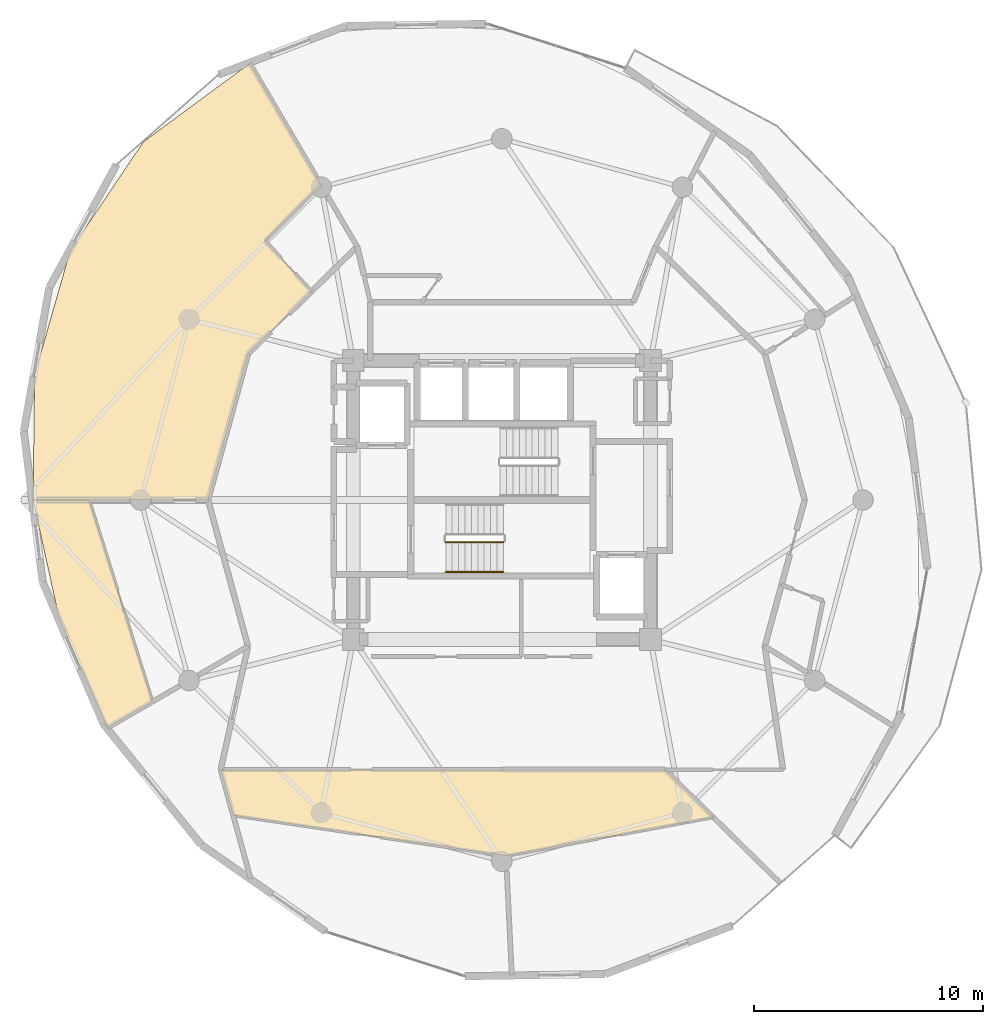
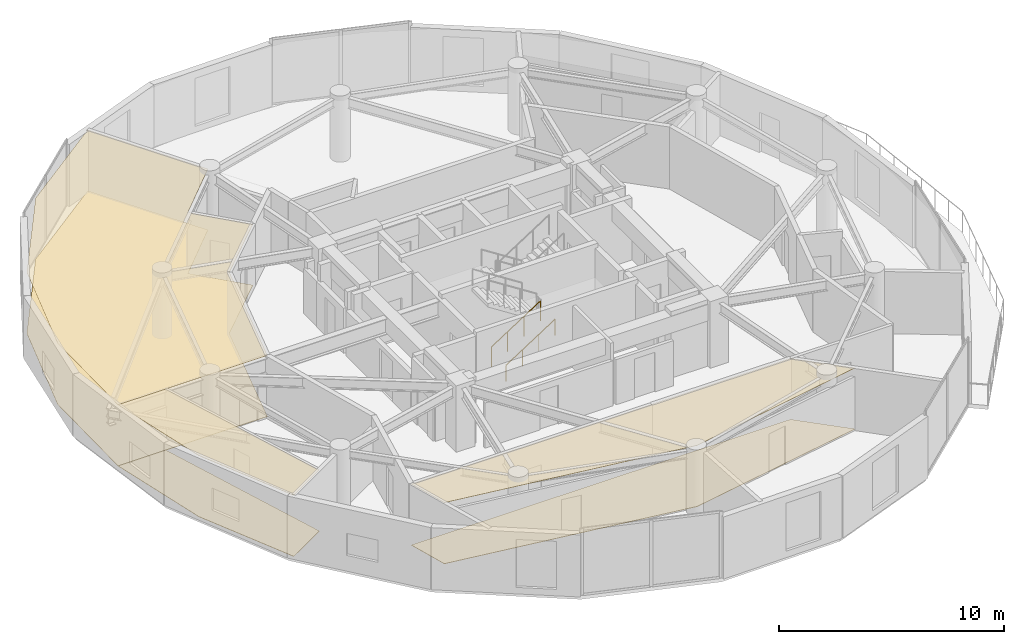
# One storey, part 16 of 18: 6 coverings, 2 railings.
"""IFC4 building model written with IfcOpenShell, lengths in metres."""

import ifcopenshell
import ifcopenshell.guid

model = None  # the IFC model being written
_history = None  # IfcOwnerHistory: only IFC2X3 demands one
_inside = {}  # id of a spatial element -> (the spatial element, [elements in it])
_under = {}  # id of a project, library or spatial element -> (it, [spatial elements below it])
_declared = {}  # id of a project -> (the project, [libraries it declares])
_typed = {}  # id of a type object -> (the type object, [elements of that type])
_made_of = {}  # id of a material, layer set ... -> (it, [elements and type objects made of it])


def new_model(schema):
    """Start an empty IFC model of exactly this schema.

    Asked for "IFC4X3", IfcOpenShell would pick the latest addendum, in which some entities
    have other attributes; the version numbers below select the first issue.
    IFC2X3 requires an IfcOwnerHistory on every rooted entity: one is made here for all.
    """
    global model, _history
    if schema == "IFC4X3":
        model = ifcopenshell.file(schema_version=(4, 3, 0, 0))
    else:
        model = ifcopenshell.file(schema=schema)
    _inside.clear()
    _under.clear()
    _declared.clear()
    _typed.clear()
    _made_of.clear()
    _history = None
    if model.schema == "IFC2X3":
        org = make("IfcOrganization", Name="unknown")
        user = make(
            "IfcPersonAndOrganization",
            ThePerson=make("IfcPerson", FamilyName="unknown"),
            TheOrganization=org,
        )
        app = make(
            "IfcApplication",
            ApplicationDeveloper=org,
            Version="unknown",
            ApplicationFullName="unknown",
            ApplicationIdentifier="unknown",
        )
        _history = make(
            "IfcOwnerHistory",
            OwningUser=user,
            OwningApplication=app,
            ChangeAction="ADDED",
            CreationDate=0,
        )
    return model


def make(cls, **values):
    """One entity of the class cls with the attributes given. An attribute that is None is left unset."""
    return model.create_entity(
        cls, **{name: value for name, value in values.items() if value is not None}
    )


def rooted(cls, **values):
    """An entity with a GlobalId (a new one), such as an element, a storey or a relation."""
    return make(cls, GlobalId=ifcopenshell.guid.new(), OwnerHistory=_history, **values)


def si_unit(unit_type, name, prefix=None):
    """IfcSIUnit, for example si_unit("LENGTHUNIT", "METRE", prefix="MILLI")."""
    return make("IfcSIUnit", UnitType=unit_type, Prefix=prefix, Name=name)


def assignment(units):
    """IfcUnitAssignment: the units of a project."""
    return None if units is None else make("IfcUnitAssignment", Units=units)


def point(xyz):
    """IfcCartesianPoint."""
    return None if xyz is None else make("IfcCartesianPoint", Coordinates=xyz)


def direction(xyz):
    """IfcDirection."""
    return None if xyz is None else make("IfcDirection", DirectionRatios=xyz)


def frame(location, z_axis=None, x_axis=None):
    """IfcAxis2Placement3D, a coordinate frame: its origin and axes. An axis left out is left unset."""
    return make(
        "IfcAxis2Placement3D",
        Location=point(location),
        Axis=direction(z_axis),
        RefDirection=direction(x_axis),
    )


def frame_2d(location, x_axis=None):
    """IfcAxis2Placement2D, a coordinate frame in the plane: its origin and x axis."""
    return make(
        "IfcAxis2Placement2D", Location=point(location), RefDirection=direction(x_axis)
    )


def origin():
    """The frame at (0, 0, 0) with its axes left unset."""
    return frame((0.0, 0.0, 0.0))


def origin_2d():
    """The frame at (0, 0) in the plane with its x axis left unset."""
    return frame_2d((0.0, 0.0))


def place(relative_to, where):
    """IfcLocalPlacement: puts the frame where relative to a parent placement (None: the world)."""
    return make(
        "IfcLocalPlacement", PlacementRelTo=relative_to, RelativePlacement=where
    )


def context(
    kind, dimensions, precision=None, world=None, true_north=None, identifier=None
):
    """IfcGeometricRepresentationContext, for example the 3D "Model" context."""
    return make(
        "IfcGeometricRepresentationContext",
        ContextIdentifier=identifier,
        ContextType=kind,
        CoordinateSpaceDimension=dimensions,
        Precision=precision,
        WorldCoordinateSystem=world,
        TrueNorth=true_north,
    )


def subcontext(parent, identifier, kind, view, scale=None):
    """IfcGeometricRepresentationSubContext, for example "Body" below "Model"."""
    return make(
        "IfcGeometricRepresentationSubContext",
        ContextIdentifier=identifier,
        ContextType=kind,
        ParentContext=parent,
        TargetScale=scale,
        TargetView=view,
    )


def project(units=None, contexts=None):
    """IfcProject with its units and contexts."""
    return rooted(
        "IfcProject",
        Name="project",
        RepresentationContexts=contexts,
        UnitsInContext=assignment(units),
    )


def spatial(cls, under=None, at=None, **own):
    """A site, building, storey or space (cls), placed at a placement, below another one or the project."""
    s = rooted(cls, ObjectPlacement=at, **own)
    if under is not None:
        _under.setdefault(under.id(), (under, []))[1].append(s)
    return s


def polyline(points):
    """IfcPolyline through the points."""
    return make("IfcPolyline", Points=[point(p) for p in points])


def profile(cls, at=None, kind="AREA", **sizes):
    """A parametric profile (cls). Its sizes go by their IFC names, for example OverallWidth=200.0."""
    return make(cls, ProfileType=kind, Position=at, **sizes)


def circle(**sizes):
    """IfcCircleProfileDef."""
    return profile("IfcCircleProfileDef", **sizes)


def outline(outer, holes=None, kind="AREA"):
    """IfcArbitraryClosedProfileDef: a profile drawn as a closed curve; with holes, ...WithVoids."""
    if holes is None:
        return make("IfcArbitraryClosedProfileDef", ProfileType=kind, OuterCurve=outer)
    return make(
        "IfcArbitraryProfileDefWithVoids",
        ProfileType=kind,
        OuterCurve=outer,
        InnerCurves=holes,
    )


def extrude(swept, where, along, depth):
    """IfcExtrudedAreaSolid: the profile swept, set in the frame where, extruded along a direction by depth."""
    return make(
        "IfcExtrudedAreaSolid",
        SweptArea=swept,
        Position=where,
        ExtrudedDirection=direction(along),
        Depth=depth,
    )


def shape(context_of_items, identifier, shape_type, items):
    """IfcShapeRepresentation: the items that make up one representation, for example the "Body"."""
    return make(
        "IfcShapeRepresentation",
        ContextOfItems=context_of_items,
        RepresentationIdentifier=identifier,
        RepresentationType=shape_type,
        Items=items,
    )


def material(Name=None, Category=None):
    """IfcMaterial."""
    return make("IfcMaterial", Name=Name, Category=Category)


def layer(
    of_material, thickness, ventilated=None, Name=None, Category=None, Priority=None
):
    """IfcMaterialLayer: one layer of a wall or slab, of a material (None: an air gap)."""
    return make(
        "IfcMaterialLayer",
        Material=of_material,
        LayerThickness=thickness,
        IsVentilated=ventilated,
        Name=Name,
        Category=Category,
        Priority=Priority,
    )


def layer_set(layers, Name=None):
    """IfcMaterialLayerSet."""
    return make("IfcMaterialLayerSet", MaterialLayers=layers, LayerSetName=Name)


def made_of(thing, what):
    """Note that an element or type object is made of a material, layer set ...; save() writes the relation."""
    if what is not None:
        _made_of.setdefault(what.id(), (what, []))[1].append(thing)
    return thing


def type_object(cls, material=None, **own):
    """A type object (cls), such as IfcWallType, which elements share."""
    return made_of(rooted(cls, **own), material)


def element(
    cls,
    number,
    at=None,
    inside=None,
    cuts=None,
    type_object=None,
    material=None,
    context=None,
    identifier="Body",
    shape_type=None,
    held_by="IfcProductDefinitionShape",
    body=None,
    shapes=None,
    **own,
):
    """One element of the class cls, such as IfcWall. Its Tag is "e" and its number.

    at: its placement. inside: the storey or other place that contains it. cuts: it is an
    opening in that element (IfcRelVoidsElement). A single representation is given by context,
    identifier, shape_type and body (its items); several are given by shapes. held_by: the class
    of the entity that holds the representations. save() writes the other relations.
    """
    e = rooted(cls, Tag="e%d" % number, ObjectPlacement=at, **own)
    if body is not None:
        shapes = [shape(context, identifier, shape_type, body)]
    if shapes is not None:
        e.Representation = make(held_by, Representations=shapes)
    if inside is not None:
        _inside.setdefault(inside.id(), (inside, []))[1].append(e)
    if cuts is not None:
        rooted(
            "IfcRelVoidsElement", RelatingBuildingElement=cuts, RelatedOpeningElement=e
        )
    if type_object is not None:
        _typed.setdefault(type_object.id(), (type_object, []))[1].append(e)
    return made_of(e, material)


def aggregate(whole, parts):
    """IfcRelAggregates: a whole, such as a stair, and the parts it consists of."""
    return rooted("IfcRelAggregates", RelatingObject=whole, RelatedObjects=parts)


def save(model, path):
    """Write the relations noted so far, then the file.

    IfcRelAggregates (storeys below a building ...), IfcRelContainedInSpatialStructure (elements
    in a storey), IfcRelDefinesByType, IfcRelAssociatesMaterial and IfcRelDeclares: one each for
    every whole, place, type object, material and project.
    """
    for whole, parts in _under.values():
        aggregate(whole, parts)
    for where, things in _inside.values():
        rooted(
            "IfcRelContainedInSpatialStructure",
            RelatedElements=things,
            RelatingStructure=where,
        )
    for kind, things in _typed.values():
        rooted("IfcRelDefinesByType", RelatedObjects=things, RelatingType=kind)
    for what, things in _made_of.values():
        rooted("IfcRelAssociatesMaterial", RelatedObjects=things, RelatingMaterial=what)
    for by, libraries in _declared.values():
        rooted("IfcRelDeclares", RelatingContext=by, RelatedDefinitions=libraries)
    model.write(path)


model = new_model("IFC4")

# Units and contexts
model_context = context("Model", 3, precision=1e-05, world=origin(), true_north=direction((0.0, 1.0)))
body_context = subcontext(model_context, "Body", "Model", "MODEL_VIEW")
ifc_project = project(units=[si_unit("LENGTHUNIT", "METRE"), si_unit("AREAUNIT", "SQUARE_METRE"), si_unit("VOLUMEUNIT", "CUBIC_METRE"), si_unit("PLANEANGLEUNIT", "RADIAN"), si_unit("MASSUNIT", "GRAM", prefix="KILO")], contexts=[model_context])

# Site, building, storey
site_placement = place(None, origin())
site = spatial("IfcSite", under=ifc_project, at=site_placement, CompositionType="ELEMENT")
building_placement = place(site_placement, origin())
building = spatial("IfcBuilding", under=site, at=building_placement, Name="Solvirekh Grand Hotel", CompositionType="ELEMENT")
storey_placement = place(building_placement, frame((0.0, 0.0, 187.60009765625)))
storey = spatial("IfcBuildingStorey", under=building, at=storey_placement, Name="L48", CompositionType="ELEMENT", Elevation=187.60009765625)

# Coverings
ifc_material_1 = material(Name="Acoustic Mineral Ceiling Tile")
ifc_layer_1 = layer(ifc_material_1, 0.02490234375)
ifc_layer_set_1 = layer_set([ifc_layer_1], Name="Acoustic Mineral Ceiling Tile")
covering_type_1 = type_object("IfcCoveringType", Name="Cov_Ceiling_Acoustic", PredefinedType="CEILING", material=ifc_layer_set_1)
covering_1_placement = place(storey_placement, frame((0.0, 0.0, 3.309814453125)))
element("IfcCovering", 1, at=covering_1_placement, inside=storey, type_object=covering_type_1, Name="L48 Diplomatic Suite 5002 Living Room acoustic ceiling", PredefinedType="CEILING", context=body_context, shape_type="SweptSolid", body=[
    extrude(outline(polyline([(-10.368896484375, 11.340087890625), (-7.923095703125, 13.80908203125), (-11.02587890625, 19.096923828125), (-15.673095703125, 15.673095703125), (-18.881103515625, 10.90087890625), (-20.43896484375, 5.47705078125), (-20.501953125, 0.0), (-12.85009765625, 0.0), (-11.10205078125, 6.39990234375), (-8.3310546875, 9.116943359375), (-10.368896484375, 11.340087890625)])), origin(), (0.0, 0.0, 1.0), 0.01806640625),
])
covering_2_placement = place(storey_placement, frame((0.0, 0.0, 3.309814453125)))
element("IfcCovering", 2, at=covering_2_placement, inside=storey, type_object=covering_type_1, Name="L48 Diplomatic Suite 5002 Master Bedroom acoustic ceiling", PredefinedType="CEILING", context=body_context, shape_type="SweptSolid", body=[
    extrude(outline(polyline([(-20.501953125, 0.0), (-19.362060546875, -5.18798828125), (-17.251953125, -9.9599609375), (-15.283935546875, -8.821044921875), (-18.052978515625, 0.0), (-20.501953125, 0.0)])), origin(), (0.0, 0.0, 1.0), 0.01806640625),
])
covering_3_placement = place(storey_placement, frame((0.0, 0.0, 3.309814453125)))
element("IfcCovering", 3, at=covering_3_placement, inside=storey, type_object=covering_type_1, Name="L48 L48 Imperial Tea Lounge acoustic ceiling", PredefinedType="CEILING", context=body_context, shape_type="SweptSolid", body=[
    extrude(outline(polyline([(-11.7509765625, -13.79296875), (0.18310546875, -15.56494140625), (9.24609375, -13.875), (7.134033203125, -11.800048828125), (0.0, -11.800048828125), (-12.300048828125, -11.800048828125), (-11.7509765625, -13.79296875)])), origin(), (0.0, 0.0, 1.0), 0.01806640625),
])
ifc_material_2 = material(Name="Porcelain Stoneware Flooring", Category="masonry")
ifc_layer_2 = layer(ifc_material_2, 0.030029296875)
ifc_layer_set_2 = layer_set([ifc_layer_2], Name="Porcelain Stoneware Flooring")
covering_type_2 = type_object("IfcCoveringType", Name="Cov_Floor_Stone", PredefinedType="FLOORING", material=ifc_layer_set_2)
covering_4_placement = place(storey_placement, origin())
element("IfcCovering", 4, at=covering_4_placement, inside=storey, type_object=covering_type_2, Name="L48 Diplomatic Suite 5002 Living Room polished granite flooring", PredefinedType="FLOORING", context=body_context, shape_type="SweptSolid", body=[
    extrude(outline(polyline([(-10.368896484375, 11.340087890625), (-7.923095703125, 13.80908203125), (-11.02587890625, 19.096923828125), (-15.673095703125, 15.673095703125), (-18.881103515625, 10.90087890625), (-20.43896484375, 5.47705078125), (-20.501953125, 0.0), (-12.85009765625, 0.0), (-11.10205078125, 6.39990234375), (-8.3310546875, 9.116943359375), (-10.368896484375, 11.340087890625)])), origin(), (0.0, 0.0, 1.0), 0.02001953125),
])
covering_5_placement = place(storey_placement, origin())
element("IfcCovering", 5, at=covering_5_placement, inside=storey, type_object=covering_type_2, Name="L48 Diplomatic Suite 5002 Master Bedroom polished granite flooring", PredefinedType="FLOORING", context=body_context, shape_type="SweptSolid", body=[
    extrude(outline(polyline([(-20.501953125, 0.0), (-19.362060546875, -5.18798828125), (-17.251953125, -9.9599609375), (-15.283935546875, -8.821044921875), (-18.052978515625, 0.0), (-20.501953125, 0.0)])), origin(), (0.0, 0.0, 1.0), 0.02001953125),
])
covering_6_placement = place(storey_placement, origin())
element("IfcCovering", 6, at=covering_6_placement, inside=storey, type_object=covering_type_2, Name="L48 L48 Imperial Tea Lounge polished granite flooring", PredefinedType="FLOORING", context=body_context, shape_type="SweptSolid", body=[
    extrude(outline(polyline([(-11.7509765625, -13.79296875), (0.18310546875, -15.56494140625), (9.24609375, -13.875), (7.134033203125, -11.800048828125), (0.0, -11.800048828125), (-12.300048828125, -11.800048828125), (-11.7509765625, -13.79296875)])), origin(), (0.0, 0.0, 1.0), 0.02001953125),
])

# Railings
ifc_material_3 = material(Name="Steel S355", Category="steel")
railing_type_1 = type_object("IfcRailingType", Name="Guard_Stair_1100", PredefinedType="GUARDRAIL", material=ifc_material_3)
railing_1_placement = place(storey_placement, frame((-2.449951171875, -1.85009765625, 0.179931640625)))
element("IfcRailing", 7, at=railing_1_placement, inside=storey, type_object=railing_type_1, Name="L48 ST-1 stair guard 1", PredefinedType="GUARDRAIL", context=body_context, shape_type="SweptSolid", body=[
    extrude(circle(Radius=0.02392578125, at=origin_2d()), frame((0.0, 0.0, 1.076171875), z_axis=(0.841199657755, 0.0, 0.540724639528), x_axis=(0.0, 1.0, 0.0)), (0.0, 0.0, 1.0), 2.995849609375),
    extrude(circle(Radius=0.02099609375, at=origin_2d()), origin(), (0.0, 0.0, 1.0), 1.052001953125),
    extrude(circle(Radius=0.02099609375, at=origin_2d()), frame((0.840087890625, 0.0, 0.5400390625)), (0.0, 0.0, 1.0), 1.052001953125),
    extrude(circle(Radius=0.02099609375, at=origin_2d()), frame((1.679931640625, 0.0, 1.079833984375)), (0.0, 0.0, 1.0), 1.052001953125),
    extrude(circle(Radius=0.02099609375, at=origin_2d()), frame((2.52001953125, 0.0, 1.619873046875)), (0.0, 0.0, 1.0), 1.052001953125),
])
ifc_material_4 = material(Name="Anodized Bronze Aluminium 6063-T6", Category="aluminium")
railing_type_2 = type_object("IfcRailingType", Name="Handrail_Wall_900", PredefinedType="HANDRAIL", material=ifc_material_4)
railing_2_placement = place(storey_placement, frame((-2.449951171875, -3.14990234375, 0.179931640625)))
element("IfcRailing", 8, at=railing_2_placement, inside=storey, type_object=railing_type_2, Name="L48 ST-1 stair handrail 1", PredefinedType="HANDRAIL", context=body_context, shape_type="SweptSolid", body=[
    extrude(circle(Radius=0.02392578125, at=origin_2d()), frame((0.0, 0.0, 0.8759765625), z_axis=(0.841199657755, 0.0, 0.540724639528), x_axis=(0.0, 1.0, 0.0)), (0.0, 0.0, 1.0), 2.995849609375),
    extrude(circle(Radius=0.02099609375, at=origin_2d()), origin(), (0.0, 0.0, 1.0), 0.851806640625),
    extrude(circle(Radius=0.02099609375, at=origin_2d()), frame((0.840087890625, 0.0, 0.5400390625)), (0.0, 0.0, 1.0), 0.851806640625),
    extrude(circle(Radius=0.02099609375, at=origin_2d()), frame((1.679931640625, 0.0, 1.079833984375)), (0.0, 0.0, 1.0), 0.851806640625),
    extrude(circle(Radius=0.02099609375, at=origin_2d()), frame((2.52001953125, 0.0, 1.619873046875)), (0.0, 0.0, 1.0), 0.851806640625),
])

save(model, "model.ifc")
